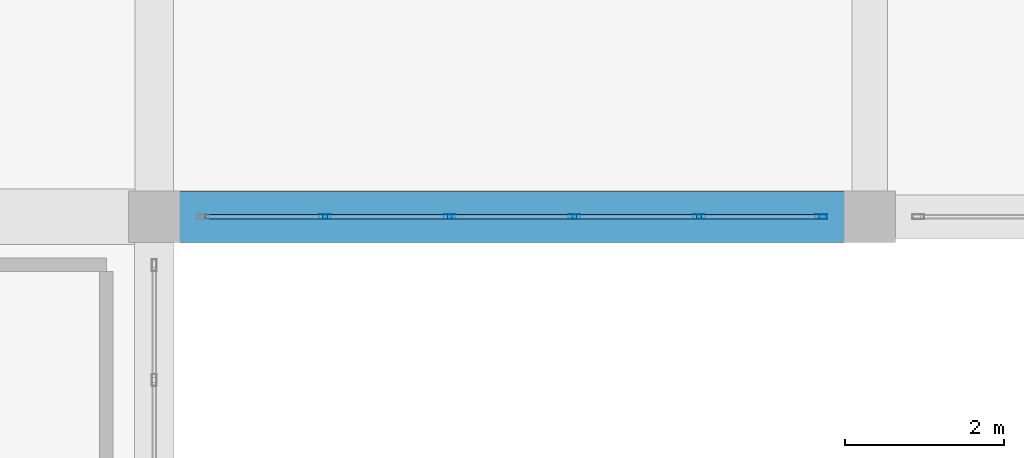
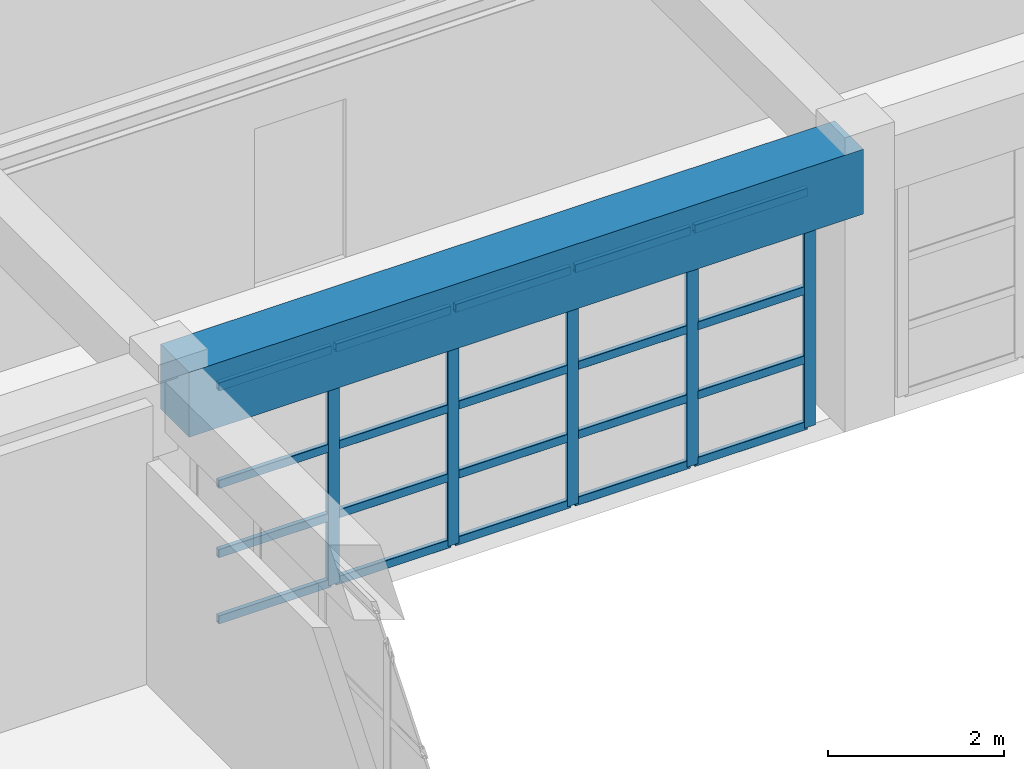
# One storey, part 21 of 130: 25 members, 1 beam, 1 element without a shape of its own.
"""IFC4 building model written with IfcOpenShell, lengths in metres."""

from ifc_helpers import new_model, si_unit, direction, frame, origin, origin_2d, place, context, subcontext, project, spatial, rectangle, hollow_rectangle, extrude, material, material_profile, profile_set, type_object, element, aggregate, save


model = new_model("IFC4")

# Units and contexts
model_context = context("Model", 3, precision=1e-05, world=origin(), true_north=direction((0.0, 1.0)))
body_context = subcontext(model_context, "Body", "Model", "MODEL_VIEW")
ifc_project = project(units=[si_unit("LENGTHUNIT", "METRE"), si_unit("AREAUNIT", "SQUARE_METRE"), si_unit("VOLUMEUNIT", "CUBIC_METRE"), si_unit("PLANEANGLEUNIT", "RADIAN"), si_unit("MASSUNIT", "GRAM", prefix="KILO")], contexts=[model_context])

# Site, building, storey
site_placement = place(None, origin())
site = spatial("IfcSite", under=ifc_project, at=site_placement, CompositionType="ELEMENT")
building_placement = place(site_placement, origin())
building = spatial("IfcBuilding", under=site, at=building_placement, Name="Miravela Opera House", CompositionType="ELEMENT")
storey_placement = place(building_placement, frame((0.0, 0.0, 9.52001953125)))
storey = spatial("IfcBuildingStorey", under=building, at=storey_placement, Name="L02", CompositionType="ELEMENT", Elevation=9.52001953125)

# Curtain wall, members
ifc_material_1 = material(Name="Anodised architectural bronze aluminium 6063-T6", Category="aluminium")
curtain_wall_type = type_object("IfcCurtainWallType", Name="ARC-CW-06", PredefinedType="NOTDEFINED", material=ifc_material_1)
curtain_wall_placement = place(storey_placement, origin())
curtain_wall = element("IfcCurtainWall", 1, at=curtain_wall_placement, inside=storey, type_object=curtain_wall_type, Name="Courtyard Arcade Curtain Wall CW-L02-136", PredefinedType="NOTDEFINED")
ifc_material_profile_1 = material_profile(ifc_material_1, hollow_rectangle(XDim=0.06005859375, YDim=0.14990234375, WallThickness=0.00390625, InnerFilletRadius=0.001953125, OuterFilletRadius=0.00390625, at=origin_2d()), Name="CWM-60X150")
ifc_profile_set_1 = profile_set([ifc_material_profile_1])
member_type_1 = type_object("IfcMemberType", Name="ARC-CWM-150", PredefinedType="MULLION", material=ifc_profile_set_1)
member_1_placement = place(storey_placement, frame((29.14794921875, 28.0, 0.0), z_axis=(0.0, 0.0, 1.0), x_axis=(0.0, 1.0, 0.0)))
member_1 = element("IfcMember", 2, at=member_1_placement, type_object=member_type_1, Name="CW-06 mullion 2", PredefinedType="MULLION", context=body_context, shape_type="SweptSolid", body=[
    extrude(hollow_rectangle(XDim=0.06005859375, YDim=0.14990234375, WallThickness=0.00390625, InnerFilletRadius=0.001953125, OuterFilletRadius=0.00390625, at=origin_2d()), origin(), (0.0, 0.0, 1.0), 3.2900390625),
])
member_2_placement = place(storey_placement, frame((30.716064453125, 28.0, 0.0), z_axis=(0.0, 0.0, 1.0), x_axis=(0.0, 1.0, 0.0)))
member_2 = element("IfcMember", 3, at=member_2_placement, type_object=member_type_1, Name="CW-06 mullion 3", PredefinedType="MULLION", context=body_context, shape_type="SweptSolid", body=[
    extrude(hollow_rectangle(XDim=0.06005859375, YDim=0.14990234375, WallThickness=0.00390625, InnerFilletRadius=0.001953125, OuterFilletRadius=0.00390625, at=origin_2d()), origin(), (0.0, 0.0, 1.0), 3.2900390625),
])
member_3_placement = place(storey_placement, frame((32.283935546875, 28.0, 0.0), z_axis=(0.0, 0.0, 1.0), x_axis=(0.0, 1.0, 0.0)))
member_3 = element("IfcMember", 4, at=member_3_placement, type_object=member_type_1, Name="CW-06 mullion 4", PredefinedType="MULLION", context=body_context, shape_type="SweptSolid", body=[
    extrude(hollow_rectangle(XDim=0.06005859375, YDim=0.14990234375, WallThickness=0.00390625, InnerFilletRadius=0.001953125, OuterFilletRadius=0.00390625, at=origin_2d()), origin(), (0.0, 0.0, 1.0), 3.2900390625),
])
member_4_placement = place(storey_placement, frame((33.85205078125, 28.0, 0.0), z_axis=(0.0, 0.0, 1.0), x_axis=(0.0, 1.0, 0.0)))
member_4 = element("IfcMember", 5, at=member_4_placement, type_object=member_type_1, Name="CW-06 mullion 5", PredefinedType="MULLION", context=body_context, shape_type="SweptSolid", body=[
    extrude(hollow_rectangle(XDim=0.06005859375, YDim=0.14990234375, WallThickness=0.00390625, InnerFilletRadius=0.001953125, OuterFilletRadius=0.00390625, at=origin_2d()), origin(), (0.0, 0.0, 1.0), 3.2900390625),
])
member_5_placement = place(storey_placement, frame((35.389892578125, 28.0, 0.0), z_axis=(0.0, 0.0, 1.0), x_axis=(0.0, 1.0, 0.0)))
member_5 = element("IfcMember", 6, at=member_5_placement, type_object=member_type_1, Name="CW-06 mullion 6", PredefinedType="MULLION", context=body_context, shape_type="SweptSolid", body=[
    extrude(hollow_rectangle(XDim=0.06005859375, YDim=0.14990234375, WallThickness=0.00390625, InnerFilletRadius=0.001953125, OuterFilletRadius=0.00390625, at=origin_2d()), origin(), (0.0, 0.0, 1.0), 3.2900390625),
])
ifc_material_profile_2 = material_profile(ifc_material_1, hollow_rectangle(XDim=0.06005859375, YDim=0.114990234375, WallThickness=0.00390625, InnerFilletRadius=0.001953125, OuterFilletRadius=0.00390625, at=origin_2d()), Name="CWT-60X115")
ifc_profile_set_2 = profile_set([ifc_material_profile_2])
member_type_2 = type_object("IfcMemberType", Name="ARC-CWT-115", PredefinedType="USERDEFINED", material=ifc_profile_set_2)
member_6_placement = place(storey_placement, frame((27.639892578125, 28.0, 0.030029296875), z_axis=(1.0, 0.0, 0.0), x_axis=(0.0, 1.0, 0.0)))
member_6 = element("IfcMember", 7, at=member_6_placement, type_object=member_type_2, Name="CW-06 transom 1.1", ObjectType="TRANSOM", PredefinedType="USERDEFINED", context=body_context, shape_type="SweptSolid", body=[
    extrude(hollow_rectangle(XDim=0.06005859375, YDim=0.114990234375, WallThickness=0.00390625, InnerFilletRadius=0.001953125, OuterFilletRadius=0.00390625, at=origin_2d()), origin(), (0.0, 0.0, 1.0), 1.47802734375),
])
member_7_placement = place(storey_placement, frame((27.639892578125, 28.0, 0.949951171875), z_axis=(1.0, 0.0, 0.0), x_axis=(0.0, 1.0, 0.0)))
member_7 = element("IfcMember", 8, at=member_7_placement, type_object=member_type_2, Name="CW-06 transom 1.2", ObjectType="TRANSOM", PredefinedType="USERDEFINED", context=body_context, shape_type="SweptSolid", body=[
    extrude(hollow_rectangle(XDim=0.06005859375, YDim=0.114990234375, WallThickness=0.00390625, InnerFilletRadius=0.001953125, OuterFilletRadius=0.00390625, at=origin_2d()), origin(), (0.0, 0.0, 1.0), 1.47802734375),
])
member_8_placement = place(storey_placement, frame((27.639892578125, 28.0, 1.908203125), z_axis=(1.0, 0.0, 0.0), x_axis=(0.0, 1.0, 0.0)))
member_8 = element("IfcMember", 9, at=member_8_placement, type_object=member_type_2, Name="CW-06 transom 1.3", ObjectType="TRANSOM", PredefinedType="USERDEFINED", context=body_context, shape_type="SweptSolid", body=[
    extrude(hollow_rectangle(XDim=0.06005859375, YDim=0.114990234375, WallThickness=0.00390625, InnerFilletRadius=0.001953125, OuterFilletRadius=0.00390625, at=origin_2d()), origin(), (0.0, 0.0, 1.0), 1.47802734375),
])
member_9_placement = place(storey_placement, frame((27.639892578125, 28.0, 3.260009765625), z_axis=(1.0, 0.0, 0.0), x_axis=(0.0, 1.0, 0.0)))
member_9 = element("IfcMember", 10, at=member_9_placement, type_object=member_type_2, Name="CW-06 transom 1.4", ObjectType="TRANSOM", PredefinedType="USERDEFINED", context=body_context, shape_type="SweptSolid", body=[
    extrude(hollow_rectangle(XDim=0.06005859375, YDim=0.114990234375, WallThickness=0.00390625, InnerFilletRadius=0.001953125, OuterFilletRadius=0.00390625, at=origin_2d()), origin(), (0.0, 0.0, 1.0), 1.47802734375),
])
member_10_placement = place(storey_placement, frame((29.177978515625, 28.0, 0.030029296875), z_axis=(1.0, 0.0, 0.0), x_axis=(0.0, 1.0, 0.0)))
member_10 = element("IfcMember", 11, at=member_10_placement, type_object=member_type_2, Name="CW-06 transom 2.1", ObjectType="TRANSOM", PredefinedType="USERDEFINED", context=body_context, shape_type="SweptSolid", body=[
    extrude(hollow_rectangle(XDim=0.06005859375, YDim=0.114990234375, WallThickness=0.00390625, InnerFilletRadius=0.001953125, OuterFilletRadius=0.00390625, at=origin_2d()), origin(), (0.0, 0.0, 1.0), 1.508056640625),
])
member_11_placement = place(storey_placement, frame((29.177978515625, 28.0, 0.949951171875), z_axis=(1.0, 0.0, 0.0), x_axis=(0.0, 1.0, 0.0)))
member_11 = element("IfcMember", 12, at=member_11_placement, type_object=member_type_2, Name="CW-06 transom 2.2", ObjectType="TRANSOM", PredefinedType="USERDEFINED", context=body_context, shape_type="SweptSolid", body=[
    extrude(hollow_rectangle(XDim=0.06005859375, YDim=0.114990234375, WallThickness=0.00390625, InnerFilletRadius=0.001953125, OuterFilletRadius=0.00390625, at=origin_2d()), origin(), (0.0, 0.0, 1.0), 1.508056640625),
])
member_12_placement = place(storey_placement, frame((29.177978515625, 28.0, 1.908203125), z_axis=(1.0, 0.0, 0.0), x_axis=(0.0, 1.0, 0.0)))
member_12 = element("IfcMember", 13, at=member_12_placement, type_object=member_type_2, Name="CW-06 transom 2.3", ObjectType="TRANSOM", PredefinedType="USERDEFINED", context=body_context, shape_type="SweptSolid", body=[
    extrude(hollow_rectangle(XDim=0.06005859375, YDim=0.114990234375, WallThickness=0.00390625, InnerFilletRadius=0.001953125, OuterFilletRadius=0.00390625, at=origin_2d()), origin(), (0.0, 0.0, 1.0), 1.508056640625),
])
member_13_placement = place(storey_placement, frame((29.177978515625, 28.0, 3.260009765625), z_axis=(1.0, 0.0, 0.0), x_axis=(0.0, 1.0, 0.0)))
member_13 = element("IfcMember", 14, at=member_13_placement, type_object=member_type_2, Name="CW-06 transom 2.4", ObjectType="TRANSOM", PredefinedType="USERDEFINED", context=body_context, shape_type="SweptSolid", body=[
    extrude(hollow_rectangle(XDim=0.06005859375, YDim=0.114990234375, WallThickness=0.00390625, InnerFilletRadius=0.001953125, OuterFilletRadius=0.00390625, at=origin_2d()), origin(), (0.0, 0.0, 1.0), 1.508056640625),
])
member_14_placement = place(storey_placement, frame((30.74609375, 28.0, 0.030029296875), z_axis=(1.0, 0.0, 0.0), x_axis=(0.0, 1.0, 0.0)))
member_14 = element("IfcMember", 15, at=member_14_placement, type_object=member_type_2, Name="CW-06 transom 3.1", ObjectType="TRANSOM", PredefinedType="USERDEFINED", context=body_context, shape_type="SweptSolid", body=[
    extrude(hollow_rectangle(XDim=0.06005859375, YDim=0.114990234375, WallThickness=0.00390625, InnerFilletRadius=0.001953125, OuterFilletRadius=0.00390625, at=origin_2d()), origin(), (0.0, 0.0, 1.0), 1.5078125),
])
member_15_placement = place(storey_placement, frame((30.74609375, 28.0, 0.949951171875), z_axis=(1.0, 0.0, 0.0), x_axis=(0.0, 1.0, 0.0)))
member_15 = element("IfcMember", 16, at=member_15_placement, type_object=member_type_2, Name="CW-06 transom 3.2", ObjectType="TRANSOM", PredefinedType="USERDEFINED", context=body_context, shape_type="SweptSolid", body=[
    extrude(hollow_rectangle(XDim=0.06005859375, YDim=0.114990234375, WallThickness=0.00390625, InnerFilletRadius=0.001953125, OuterFilletRadius=0.00390625, at=origin_2d()), origin(), (0.0, 0.0, 1.0), 1.5078125),
])
member_16_placement = place(storey_placement, frame((30.74609375, 28.0, 1.908203125), z_axis=(1.0, 0.0, 0.0), x_axis=(0.0, 1.0, 0.0)))
member_16 = element("IfcMember", 17, at=member_16_placement, type_object=member_type_2, Name="CW-06 transom 3.3", ObjectType="TRANSOM", PredefinedType="USERDEFINED", context=body_context, shape_type="SweptSolid", body=[
    extrude(hollow_rectangle(XDim=0.06005859375, YDim=0.114990234375, WallThickness=0.00390625, InnerFilletRadius=0.001953125, OuterFilletRadius=0.00390625, at=origin_2d()), origin(), (0.0, 0.0, 1.0), 1.5078125),
])
member_17_placement = place(storey_placement, frame((30.74609375, 28.0, 3.260009765625), z_axis=(1.0, 0.0, 0.0), x_axis=(0.0, 1.0, 0.0)))
member_17 = element("IfcMember", 18, at=member_17_placement, type_object=member_type_2, Name="CW-06 transom 3.4", ObjectType="TRANSOM", PredefinedType="USERDEFINED", context=body_context, shape_type="SweptSolid", body=[
    extrude(hollow_rectangle(XDim=0.06005859375, YDim=0.114990234375, WallThickness=0.00390625, InnerFilletRadius=0.001953125, OuterFilletRadius=0.00390625, at=origin_2d()), origin(), (0.0, 0.0, 1.0), 1.5078125),
])
member_18_placement = place(storey_placement, frame((32.31396484375, 28.0, 0.030029296875), z_axis=(1.0, 0.0, 0.0), x_axis=(0.0, 1.0, 0.0)))
member_18 = element("IfcMember", 19, at=member_18_placement, type_object=member_type_2, Name="CW-06 transom 4.1", ObjectType="TRANSOM", PredefinedType="USERDEFINED", context=body_context, shape_type="SweptSolid", body=[
    extrude(hollow_rectangle(XDim=0.06005859375, YDim=0.114990234375, WallThickness=0.00390625, InnerFilletRadius=0.001953125, OuterFilletRadius=0.00390625, at=origin_2d()), origin(), (0.0, 0.0, 1.0), 1.508056640625),
])
member_19_placement = place(storey_placement, frame((32.31396484375, 28.0, 0.949951171875), z_axis=(1.0, 0.0, 0.0), x_axis=(0.0, 1.0, 0.0)))
member_19 = element("IfcMember", 20, at=member_19_placement, type_object=member_type_2, Name="CW-06 transom 4.2", ObjectType="TRANSOM", PredefinedType="USERDEFINED", context=body_context, shape_type="SweptSolid", body=[
    extrude(hollow_rectangle(XDim=0.06005859375, YDim=0.114990234375, WallThickness=0.00390625, InnerFilletRadius=0.001953125, OuterFilletRadius=0.00390625, at=origin_2d()), origin(), (0.0, 0.0, 1.0), 1.508056640625),
])
member_20_placement = place(storey_placement, frame((32.31396484375, 28.0, 1.908203125), z_axis=(1.0, 0.0, 0.0), x_axis=(0.0, 1.0, 0.0)))
member_20 = element("IfcMember", 21, at=member_20_placement, type_object=member_type_2, Name="CW-06 transom 4.3", ObjectType="TRANSOM", PredefinedType="USERDEFINED", context=body_context, shape_type="SweptSolid", body=[
    extrude(hollow_rectangle(XDim=0.06005859375, YDim=0.114990234375, WallThickness=0.00390625, InnerFilletRadius=0.001953125, OuterFilletRadius=0.00390625, at=origin_2d()), origin(), (0.0, 0.0, 1.0), 1.508056640625),
])
member_21_placement = place(storey_placement, frame((32.31396484375, 28.0, 3.260009765625), z_axis=(1.0, 0.0, 0.0), x_axis=(0.0, 1.0, 0.0)))
member_21 = element("IfcMember", 22, at=member_21_placement, type_object=member_type_2, Name="CW-06 transom 4.4", ObjectType="TRANSOM", PredefinedType="USERDEFINED", context=body_context, shape_type="SweptSolid", body=[
    extrude(hollow_rectangle(XDim=0.06005859375, YDim=0.114990234375, WallThickness=0.00390625, InnerFilletRadius=0.001953125, OuterFilletRadius=0.00390625, at=origin_2d()), origin(), (0.0, 0.0, 1.0), 1.508056640625),
])
member_22_placement = place(storey_placement, frame((33.882080078125, 28.0, 0.030029296875), z_axis=(1.0, 0.0, 0.0), x_axis=(0.0, 1.0, 0.0)))
member_22 = element("IfcMember", 23, at=member_22_placement, type_object=member_type_2, Name="CW-06 transom 5.1", ObjectType="TRANSOM", PredefinedType="USERDEFINED", context=body_context, shape_type="SweptSolid", body=[
    extrude(hollow_rectangle(XDim=0.06005859375, YDim=0.114990234375, WallThickness=0.00390625, InnerFilletRadius=0.001953125, OuterFilletRadius=0.00390625, at=origin_2d()), origin(), (0.0, 0.0, 1.0), 1.47802734375),
])
member_23_placement = place(storey_placement, frame((33.882080078125, 28.0, 0.949951171875), z_axis=(1.0, 0.0, 0.0), x_axis=(0.0, 1.0, 0.0)))
member_23 = element("IfcMember", 24, at=member_23_placement, type_object=member_type_2, Name="CW-06 transom 5.2", ObjectType="TRANSOM", PredefinedType="USERDEFINED", context=body_context, shape_type="SweptSolid", body=[
    extrude(hollow_rectangle(XDim=0.06005859375, YDim=0.114990234375, WallThickness=0.00390625, InnerFilletRadius=0.001953125, OuterFilletRadius=0.00390625, at=origin_2d()), origin(), (0.0, 0.0, 1.0), 1.47802734375),
])
member_24_placement = place(storey_placement, frame((33.882080078125, 28.0, 1.908203125), z_axis=(1.0, 0.0, 0.0), x_axis=(0.0, 1.0, 0.0)))
member_24 = element("IfcMember", 25, at=member_24_placement, type_object=member_type_2, Name="CW-06 transom 5.3", ObjectType="TRANSOM", PredefinedType="USERDEFINED", context=body_context, shape_type="SweptSolid", body=[
    extrude(hollow_rectangle(XDim=0.06005859375, YDim=0.114990234375, WallThickness=0.00390625, InnerFilletRadius=0.001953125, OuterFilletRadius=0.00390625, at=origin_2d()), origin(), (0.0, 0.0, 1.0), 1.47802734375),
])
member_25_placement = place(storey_placement, frame((33.882080078125, 28.0, 3.260009765625), z_axis=(1.0, 0.0, 0.0), x_axis=(0.0, 1.0, 0.0)))
member_25 = element("IfcMember", 26, at=member_25_placement, type_object=member_type_2, Name="CW-06 transom 5.4", ObjectType="TRANSOM", PredefinedType="USERDEFINED", context=body_context, shape_type="SweptSolid", body=[
    extrude(hollow_rectangle(XDim=0.06005859375, YDim=0.114990234375, WallThickness=0.00390625, InnerFilletRadius=0.001953125, OuterFilletRadius=0.00390625, at=origin_2d()), origin(), (0.0, 0.0, 1.0), 1.47802734375),
])
aggregate(curtain_wall, [member_1, member_2, member_3, member_4, member_5, member_6, member_7, member_8, member_9, member_10, member_11, member_12, member_13, member_14, member_15, member_16, member_17, member_18, member_19, member_20, member_21, member_22, member_23, member_24, member_25])

# Beam
ifc_material_2 = material(Name="Concrete C40/50", Category="concrete")
ifc_material_profile_3 = material_profile(ifc_material_2, rectangle(XDim=0.64990234375, YDim=0.89990234375, at=origin_2d()), Name="RC-BM-650X900")
ifc_profile_set_3 = profile_set([ifc_material_profile_3])
beam_type = type_object("IfcBeamType", Name="STR-BM-RC650X900", PredefinedType="BEAM", material=ifc_profile_set_3)
beam_placement = place(storey_placement, frame((27.080078125, 28.0, 3.389892578125), z_axis=(1.0, 0.0, 0.0), x_axis=(0.0, 1.0, 0.0)))
element("IfcBeam", 27, at=beam_placement, inside=storey, type_object=beam_type, Name="Floor Girder L02 4-5/D", PredefinedType="BEAM", context=body_context, shape_type="SweptSolid", body=[
    extrude(rectangle(XDim=0.64990234375, YDim=0.89990234375, at=origin_2d()), origin(), (0.0, 0.0, 1.0), 8.83984375),
])

save(model, "model.ifc")
